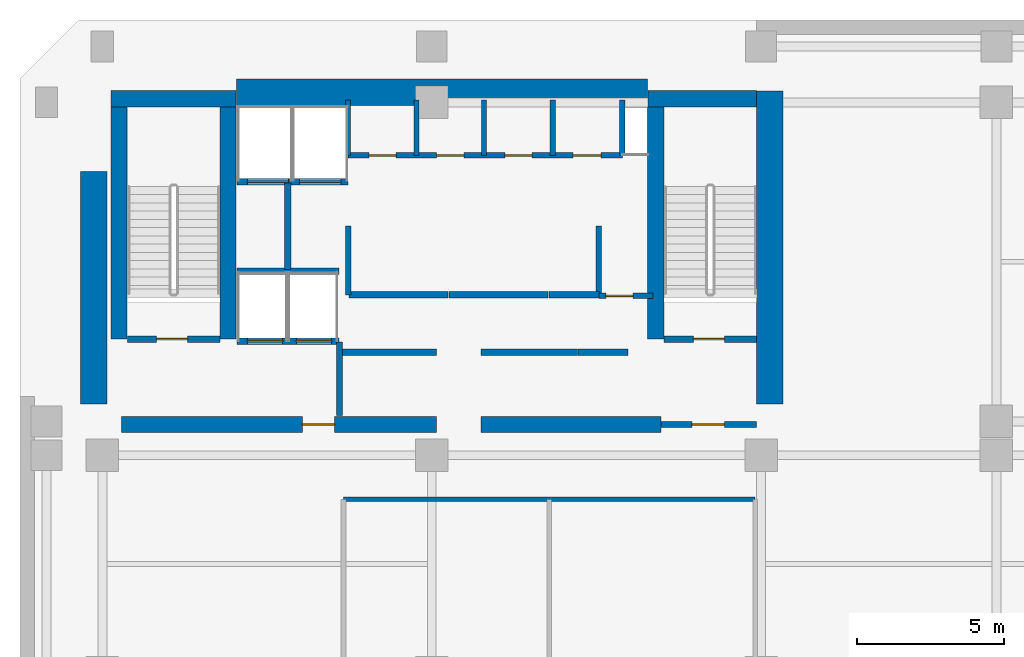
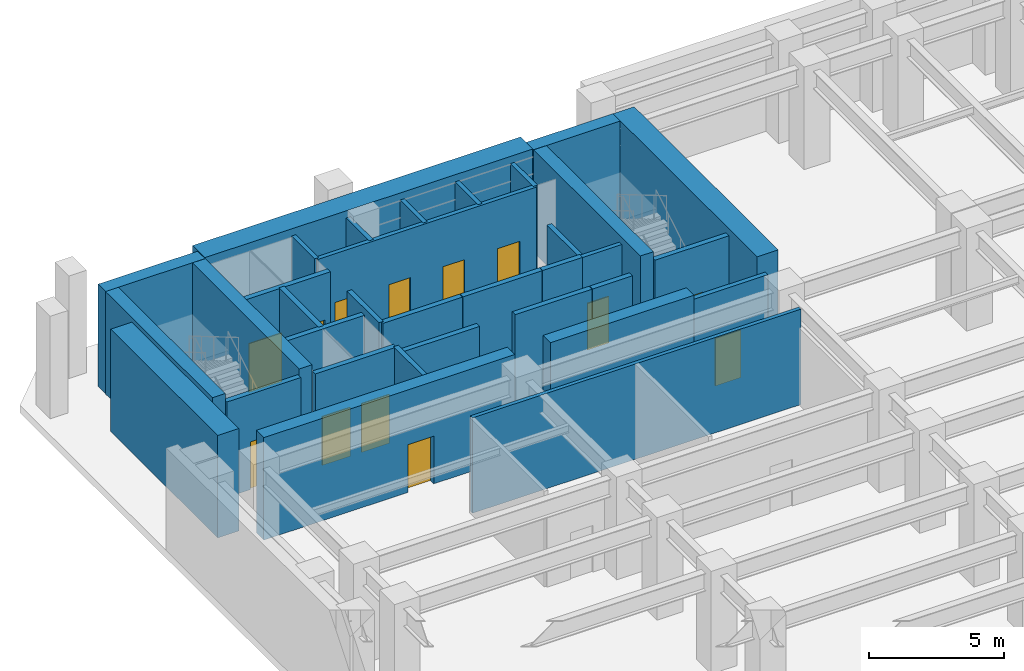
# One storey, part 7 of 12: 34 walls, 13 doors, 13 openings.
"""IFC4 building model written with IfcOpenShell, lengths in metres."""

from ifc_helpers import new_model, si_unit, direction, frame, frame_2d, origin, place, context, subcontext, project, spatial, rectangle, extrude, material, layer, layer_set, type_object, element, fill, save


model = new_model("IFC4")

# Units and contexts
model_context = context("Model", 3, precision=1e-05, world=origin(), true_north=direction((0.0, 1.0)))
body_context = subcontext(model_context, "Body", "Model", "MODEL_VIEW")
ifc_project = project(units=[si_unit("LENGTHUNIT", "METRE"), si_unit("AREAUNIT", "SQUARE_METRE"), si_unit("VOLUMEUNIT", "CUBIC_METRE"), si_unit("PLANEANGLEUNIT", "RADIAN"), si_unit("MASSUNIT", "GRAM", prefix="KILO")], contexts=[model_context])

# Site, building, storey
site_placement = place(None, origin())
site = spatial("IfcSite", under=ifc_project, at=site_placement, CompositionType="ELEMENT")
building_placement = place(site_placement, origin())
building = spatial("IfcBuilding", under=site, at=building_placement, Name="Kefirva Bronze Tower", CompositionType="ELEMENT")
storey_placement = place(building_placement, frame((0.0, 0.0, -4.6201171875)))
storey = spatial("IfcBuildingStorey", under=building, at=storey_placement, Name="B1", CompositionType="ELEMENT", Elevation=-4.6201171875)

# Wall, opening, door
ifc_material_1 = material(Name="Gypsum fireboard shaftwall")
ifc_layer_1 = layer(ifc_material_1, 0.219970703125, Name="Gypsum fireboard shaftwall")
ifc_layer_set_1 = layer_set([ifc_layer_1], Name="Gypsum fireboard shaftwall")
wall_type_1 = type_object("IfcWallType", Name="Fire-Rated Shaft Enclosure Wall 220mm", PredefinedType="PARTITIONING", material=ifc_layer_set_1)
wall_1_placement = place(storey_placement, frame((1.64990234375, 37.14990234375, 0.0), z_axis=(0.0, 0.0, 1.0), x_axis=(1.0, 0.0, 0.0)))
wall_1 = element("IfcWall", 1, at=wall_1_placement, inside=storey, type_object=wall_type_1, Name="B1 Partition W-B1-ST1S", PredefinedType="PARTITIONING", context=body_context, shape_type="SweptSolid", body=[
    extrude(rectangle(XDim=3.150146484375, YDim=0.219970703125, at=frame_2d((1.5751953125, 0.0))), origin(), (0.0, 0.0, 1.0), 4.300048828125),
])
opening_1_placement = place(wall_1_placement, frame((2.050048828125, 0.0, 0.0), z_axis=(0.0, 0.0, 1.0), x_axis=(-1.0, 0.0, 0.0)))
opening_1 = element("IfcOpeningElement", 2, at=opening_1_placement, cuts=wall_1, Name="Opening B1-D001", PredefinedType="OPENING", context=body_context, shape_type="SweptSolid", body=[
    extrude(rectangle(XDim=1.050048828125, YDim=2.14990234375, at=frame_2d((0.52490234375, 1.074951171875))), frame((0.0, 0.1201171875, 0.0), z_axis=(0.0, -1.0, 0.0), x_axis=(1.0, 0.0, 0.0)), (0.0, 0.0, 1.0), 0.239990234375),
])
ifc_material_2 = material(Name="Painted galvanized steel", Category="steel")
door_type_1 = type_object("IfcDoorType", Name="Fire Stair Enclosure Door 1050x2150 FD90S", OperationType="NOTDEFINED", PredefinedType="DOOR", material=ifc_material_2)
door_1_placement = place(opening_1_placement, origin())
door_1 = element("IfcDoor", 3, at=door_1_placement, inside=storey, type_object=door_type_1, Name="Door B1-D001", OperationType="SINGLE_SWING_LEFT", OverallHeight=2.14990234375, OverallWidth=1.050048828125, PredefinedType="DOOR", context=body_context, shape_type="SweptSolid", body=[
    extrude(rectangle(XDim=1.050048828125, YDim=2.14990234375, at=frame_2d((0.52490234375, 1.074951171875))), frame((0.0, 0.02490234375, 0.0), z_axis=(0.0, -1.0, 0.0), x_axis=(1.0, 0.0, 0.0)), (0.0, 0.0, 1.0), 0.050048828125),
])
fill(opening_1, door_1)

wall_2_placement = place(storey_placement, frame((19.89990234375, 37.14990234375, 0.0), z_axis=(0.0, 0.0, 1.0), x_axis=(1.0, 0.0, 0.0)))
wall_2 = element("IfcWall", 4, at=wall_2_placement, inside=storey, type_object=wall_type_1, Name="B1 Partition W-B1-ST2S", PredefinedType="PARTITIONING", context=body_context, shape_type="SweptSolid", body=[
    extrude(rectangle(XDim=3.150146484375, YDim=0.219970703125, at=frame_2d((1.5751953125, 0.0))), origin(), (0.0, 0.0, 1.0), 4.300048828125),
])
opening_2_placement = place(wall_2_placement, frame((2.050048828125, 0.0, 0.0), z_axis=(0.0, 0.0, 1.0), x_axis=(-1.0, 0.0, 0.0)))
opening_2 = element("IfcOpeningElement", 5, at=opening_2_placement, cuts=wall_2, Name="Opening B1-D003", PredefinedType="OPENING", context=body_context, shape_type="SweptSolid", body=[
    extrude(rectangle(XDim=1.050048828125, YDim=2.14990234375, at=frame_2d((0.52490234375, 1.074951171875))), frame((0.0, 0.1201171875, 0.0), z_axis=(0.0, -1.0, 0.0), x_axis=(1.0, 0.0, 0.0)), (0.0, 0.0, 1.0), 0.239990234375),
])
door_2_placement = place(opening_2_placement, origin())
door_2 = element("IfcDoor", 6, at=door_2_placement, inside=storey, type_object=door_type_1, Name="Door B1-D003", OperationType="SINGLE_SWING_LEFT", OverallHeight=2.14990234375, OverallWidth=1.050048828125, PredefinedType="DOOR", context=body_context, shape_type="SweptSolid", body=[
    extrude(rectangle(XDim=1.050048828125, YDim=2.14990234375, at=frame_2d((0.52490234375, 1.074951171875))), frame((0.0, 0.02490234375, 0.0), z_axis=(0.0, -1.0, 0.0), x_axis=(1.0, 0.0, 0.0)), (0.0, 0.0, 1.0), 0.050048828125),
])
fill(opening_2, door_2)

# Wall, openings, doors
wall_3_placement = place(storey_placement, frame((5.3798828125, 37.080078125, 0.0), z_axis=(0.0, 0.0, 1.0), x_axis=(1.0, 0.0, 0.0)))
wall_3 = element("IfcWall", 7, at=wall_3_placement, inside=storey, type_object=wall_type_1, Name="B1 Partition W-B1-FFS", PredefinedType="PARTITIONING", context=body_context, shape_type="SweptSolid", body=[
    extrude(rectangle(XDim=3.460205078125, YDim=0.219970703125, at=frame_2d((1.72998046875, 0.0))), origin(), (0.0, 0.0, 1.0), 4.300048828125),
])
opening_3_placement = place(wall_3_placement, frame((1.550048828125, 0.0, 0.0), z_axis=(0.0, 0.0, 1.0), x_axis=(-1.0, 0.0, 0.0)))
opening_3 = element("IfcOpeningElement", 8, at=opening_3_placement, cuts=wall_3, Name="Opening B1-LD-FF1", PredefinedType="OPENING", context=body_context, shape_type="SweptSolid", body=[
    extrude(rectangle(XDim=1.199951171875, YDim=2.199951171875, at=frame_2d((0.60009765625, 1.10009765625))), frame((0.0, 0.1201171875, 0.0), z_axis=(0.0, -1.0, 0.0), x_axis=(1.0, 0.0, 0.0)), (0.0, 0.0, 1.0), 0.239990234375),
])
opening_4_placement = place(wall_3_placement, frame((3.219970703125, 0.0, 0.0), z_axis=(0.0, 0.0, 1.0), x_axis=(-1.0, 0.0, 0.0)))
opening_4 = element("IfcOpeningElement", 9, at=opening_4_placement, cuts=wall_3, Name="Opening B1-LD-FF2", PredefinedType="OPENING", context=body_context, shape_type="SweptSolid", body=[
    extrude(rectangle(XDim=1.199951171875, YDim=2.199951171875, at=frame_2d((0.60009765625, 1.10009765625))), frame((0.0, 0.1201171875, 0.0), z_axis=(0.0, -1.0, 0.0), x_axis=(1.0, 0.0, 0.0)), (0.0, 0.0, 1.0), 0.239990234375),
])
ifc_material_3 = material(Name="Stainless steel 316", Category="steel")
door_type_2 = type_object("IfcDoorType", Name="Firefighting Lift Sliding Door 1200x2200", OperationType="SLIDING_TO_RIGHT", PredefinedType="DOOR", material=ifc_material_3)
door_3_placement = place(opening_3_placement, origin())
door_3 = element("IfcDoor", 10, at=door_3_placement, inside=storey, type_object=door_type_2, Name="Door B1-LD-FF1", OperationType="SLIDING_TO_RIGHT", OverallHeight=2.199951171875, OverallWidth=1.199951171875, PredefinedType="DOOR", context=body_context, shape_type="SweptSolid", body=[
    extrude(rectangle(XDim=1.199951171875, YDim=2.199951171875, at=frame_2d((0.60009765625, 1.10009765625))), frame((0.0, 0.02490234375, 0.0), z_axis=(0.0, -1.0, 0.0), x_axis=(1.0, 0.0, 0.0)), (0.0, 0.0, 1.0), 0.050048828125),
])
fill(opening_3, door_3)
door_4_placement = place(opening_4_placement, origin())
door_4 = element("IfcDoor", 11, at=door_4_placement, inside=storey, type_object=door_type_2, Name="Door B1-LD-FF2", OperationType="SLIDING_TO_RIGHT", OverallHeight=2.199951171875, OverallWidth=1.199951171875, PredefinedType="DOOR", context=body_context, shape_type="SweptSolid", body=[
    extrude(rectangle(XDim=1.199951171875, YDim=2.199951171875, at=frame_2d((0.60009765625, 1.10009765625))), frame((0.0, 0.02490234375, 0.0), z_axis=(0.0, -1.0, 0.0), x_axis=(1.0, 0.0, 0.0)), (0.0, 0.0, 1.0), 0.050048828125),
])
fill(opening_4, door_4)

# Wall
wall_4_placement = place(storey_placement, frame((5.3798828125, 39.449951171875, 0.0), z_axis=(0.0, 0.0, 1.0), x_axis=(1.0, 0.0, 0.0)))
element("IfcWall", 12, at=wall_4_placement, inside=storey, type_object=wall_type_1, Name="B1 Partition W-B1-FFN", PredefinedType="PARTITIONING", context=body_context, shape_type="SweptSolid", body=[
    extrude(rectangle(XDim=3.460205078125, YDim=0.219970703125, at=frame_2d((1.72998046875, 0.0))), origin(), (0.0, 0.0, 1.0), 4.300048828125),
])

# Wall, openings, doors
wall_5_placement = place(storey_placement, frame((5.3798828125, 42.5, 0.0), z_axis=(0.0, 0.0, 1.0), x_axis=(1.0, 0.0, 0.0)))
wall_5 = element("IfcWall", 13, at=wall_5_placement, inside=storey, type_object=wall_type_1, Name="B1 Partition W-B1-SVS", PredefinedType="PARTITIONING", context=body_context, shape_type="SweptSolid", body=[
    extrude(rectangle(XDim=3.77001953125, YDim=0.219970703125, at=frame_2d((1.885009765625, 0.0))), origin(), (0.0, 0.0, 1.0), 4.300048828125),
])
opening_5_placement = place(wall_5_placement, frame((1.75, 0.0, 0.0), z_axis=(0.0, 0.0, 1.0), x_axis=(-1.0, 0.0, 0.0)))
opening_5 = element("IfcOpeningElement", 14, at=opening_5_placement, cuts=wall_5, Name="Opening B1-LD-SV1", PredefinedType="OPENING", context=body_context, shape_type="SweptSolid", body=[
    extrude(rectangle(XDim=1.39990234375, YDim=2.199951171875, at=frame_2d((0.699951171875, 1.10009765625))), frame((0.0, 0.1201171875, 0.0), z_axis=(0.0, -1.0, 0.0), x_axis=(1.0, 0.0, 0.0)), (0.0, 0.0, 1.0), 0.239990234375),
])
opening_6_placement = place(wall_5_placement, frame((3.52978515625, 0.0, 0.0), z_axis=(0.0, 0.0, 1.0), x_axis=(-1.0, 0.0, 0.0)))
opening_6 = element("IfcOpeningElement", 15, at=opening_6_placement, cuts=wall_5, Name="Opening B1-LD-SV2", PredefinedType="OPENING", context=body_context, shape_type="SweptSolid", body=[
    extrude(rectangle(XDim=1.39990234375, YDim=2.199951171875, at=frame_2d((0.699951171875, 1.10009765625))), frame((0.0, 0.1201171875, 0.0), z_axis=(0.0, -1.0, 0.0), x_axis=(1.0, 0.0, 0.0)), (0.0, 0.0, 1.0), 0.239990234375),
])
door_type_3 = type_object("IfcDoorType", Name="Goods Lift Bi-Parting Sliding Door 1400x2200", OperationType="SLIDING_TO_LEFT", PredefinedType="DOOR", material=ifc_material_3)
door_5_placement = place(opening_5_placement, origin())
door_5 = element("IfcDoor", 16, at=door_5_placement, inside=storey, type_object=door_type_3, Name="Door B1-LD-SV1", OperationType="SLIDING_TO_LEFT", OverallHeight=2.199951171875, OverallWidth=1.39990234375, PredefinedType="DOOR", context=body_context, shape_type="SweptSolid", body=[
    extrude(rectangle(XDim=1.39990234375, YDim=2.199951171875, at=frame_2d((0.699951171875, 1.10009765625))), frame((0.0, 0.02490234375, 0.0), z_axis=(0.0, -1.0, 0.0), x_axis=(1.0, 0.0, 0.0)), (0.0, 0.0, 1.0), 0.050048828125),
])
fill(opening_5, door_5)
door_6_placement = place(opening_6_placement, origin())
door_6 = element("IfcDoor", 17, at=door_6_placement, inside=storey, type_object=door_type_3, Name="Door B1-LD-SV2", OperationType="SLIDING_TO_LEFT", OverallHeight=2.199951171875, OverallWidth=1.39990234375, PredefinedType="DOOR", context=body_context, shape_type="SweptSolid", body=[
    extrude(rectangle(XDim=1.39990234375, YDim=2.199951171875, at=frame_2d((0.699951171875, 1.10009765625))), frame((0.0, 0.02490234375, 0.0), z_axis=(0.0, -1.0, 0.0), x_axis=(1.0, 0.0, 0.0)), (0.0, 0.0, 1.0), 0.050048828125),
])
fill(opening_6, door_6)

# Walls
wall_6_placement = place(storey_placement, frame((7.10009765625, 39.52001953125, 0.0), z_axis=(0.0, 0.0, 1.0), x_axis=(0.0, 1.0, 0.0)))
element("IfcWall", 18, at=wall_6_placement, inside=storey, type_object=wall_type_1, Name="B1 Partition W-B1-HP3E", PredefinedType="PARTITIONING", context=body_context, shape_type="SweptSolid", body=[
    extrude(rectangle(XDim=2.929931640625, YDim=0.219970703125, at=frame_2d((1.46484375, 0.0))), origin(), (0.0, 0.0, 1.0), 4.300048828125),
])
for number, where, z_axis, x_axis, name in (
    (19, (9.159912109375, 38.64990234375, 0.0), (0.0, 0.0, 1.0), (0.0, 1.0, 0.0), "B1 Partition W-B1-LP3W"),
    (20, (17.679931640625, 38.64990234375, 0.0), (0.0, 0.0, 1.0), (0.0, 1.0, 0.0), "B1 Partition W-B1-HP2E"),
):
    element("IfcWall", number, at=place(storey_placement, frame(where, z_axis=z_axis, x_axis=x_axis)), inside=storey, type_object=wall_type_1, Name=name, PredefinedType="PARTITIONING", context=body_context, shape_type="SweptSolid", body=[
        extrude(rectangle(XDim=2.35009765625, YDim=0.199951171875, at=frame_2d((1.175048828125, 0.0))), origin(), (0.0, 0.0, 1.0), 4.300048828125),
    ])
wall_7_placement = place(storey_placement, frame((8.89990234375, 36.699951171875, 0.0), z_axis=(0.0, 0.0, 1.0), x_axis=(1.0, 0.0, 0.0)))
element("IfcWall", 21, at=wall_7_placement, inside=storey, type_object=wall_type_1, Name="B1 Partition W-B1-LPS", PredefinedType="PARTITIONING", context=body_context, shape_type="SweptSolid", body=[
    extrude(rectangle(XDim=3.260009765625, YDim=0.219970703125, at=frame_2d((1.6298828125, 0.0))), origin(), (0.0, 0.0, 1.0), 4.300048828125),
])
wall_8_placement = place(storey_placement, frame((9.179931640625, 38.64990234375, 0.0), z_axis=(0.0, 0.0, 1.0), x_axis=(1.0, 0.0, 0.0)))
element("IfcWall", 22, at=wall_8_placement, inside=storey, type_object=wall_type_1, Name="B1 Partition W-B1-LPN", PredefinedType="PARTITIONING", context=body_context, shape_type="SweptSolid", body=[
    extrude(rectangle(XDim=3.380126953125, YDim=0.219970703125, at=frame_2d((1.68994140625, 0.0))), origin(), (0.0, 0.0, 1.0), 4.300048828125),
])
wall_9_placement = place(storey_placement, frame((13.679931640625, 36.699951171875, 0.0), z_axis=(0.0, 0.0, 1.0), x_axis=(1.0, 0.0, 0.0)))
element("IfcWall", 23, at=wall_9_placement, inside=storey, type_object=wall_type_1, Name="B1 Partition W-B1-MPS", PredefinedType="PARTITIONING", context=body_context, shape_type="SweptSolid", body=[
    extrude(rectangle(XDim=3.280029296875, YDim=0.219970703125, at=frame_2d((1.64013671875, 0.0))), origin(), (0.0, 0.0, 1.0), 4.300048828125),
])
wall_10_placement = place(storey_placement, frame((12.580078125, 38.64990234375, 0.0), z_axis=(0.0, 0.0, 1.0), x_axis=(1.0, 0.0, 0.0)))
element("IfcWall", 24, at=wall_10_placement, inside=storey, type_object=wall_type_1, Name="B1 Partition W-B1-MPN", PredefinedType="PARTITIONING", context=body_context, shape_type="SweptSolid", body=[
    extrude(rectangle(XDim=3.3798828125, YDim=0.219970703125, at=frame_2d((1.68994140625, 0.0))), origin(), (0.0, 0.0, 1.0), 4.300048828125),
])
wall_11_placement = place(storey_placement, frame((16.97998046875, 36.699951171875, 0.0), z_axis=(0.0, 0.0, 1.0), x_axis=(1.0, 0.0, 0.0)))
element("IfcWall", 25, at=wall_11_placement, inside=storey, type_object=wall_type_1, Name="B1 Partition W-B1-HPS", PredefinedType="PARTITIONING", context=body_context, shape_type="SweptSolid", body=[
    extrude(rectangle(XDim=1.699951171875, YDim=0.219970703125, at=frame_2d((0.85009765625, 0.0))), origin(), (0.0, 0.0, 1.0), 4.300048828125),
])
wall_12_placement = place(storey_placement, frame((15.97998046875, 38.64990234375, 0.0), z_axis=(0.0, 0.0, 1.0), x_axis=(1.0, 0.0, 0.0)))
element("IfcWall", 26, at=wall_12_placement, inside=storey, type_object=wall_type_1, Name="B1 Partition W-B1-HPN", PredefinedType="PARTITIONING", context=body_context, shape_type="SweptSolid", body=[
    extrude(rectangle(XDim=1.719970703125, YDim=0.219970703125, at=frame_2d((0.85986328125, 0.0))), origin(), (0.0, 0.0, 1.0), 4.300048828125),
])
ifc_material_4 = material(Name="Gypsum fireboard barrier")
ifc_layer_2 = layer(ifc_material_4, 0.199951171875, Name="Gypsum fireboard barrier")
ifc_layer_set_2 = layer_set([ifc_layer_2], Name="Gypsum fireboard barrier")
wall_type_2 = type_object("IfcWallType", Name="Firefighting Lobby Barrier Wall 200mm", PredefinedType="PARTITIONING", material=ifc_layer_set_2)
wall_13_placement = place(storey_placement, frame((8.860107421875, 34.550048828125, 0.0), z_axis=(0.0, 0.0, 1.0), x_axis=(0.0, 1.0, 0.0)))
element("IfcWall", 27, at=wall_13_placement, inside=storey, type_object=wall_type_2, Name="B1 Partition W-B1-FFLE", PredefinedType="PARTITIONING", context=body_context, shape_type="SweptSolid", body=[
    extrude(rectangle(XDim=2.5, YDim=0.199951171875, at=frame_2d((1.25, 0.0))), origin(), (0.0, 0.0, 1.0), 4.300048828125),
])

# Wall, opening, door
wall_14_placement = place(storey_placement, frame((19.800048828125, 34.25, 0.0), z_axis=(0.0, 0.0, 1.0), x_axis=(1.0, 0.0, 0.0)))
wall_14 = element("IfcWall", 28, at=wall_14_placement, inside=storey, type_object=wall_type_2, Name="B1 Partition W-B1-ST2F", PredefinedType="PARTITIONING", context=body_context, shape_type="SweptSolid", body=[
    extrude(rectangle(XDim=3.25, YDim=0.199951171875, at=frame_2d((1.625, 0.0))), origin(), (0.0, 0.0, 1.0), 4.300048828125),
])
opening_7_placement = place(wall_14_placement, frame((2.150146484375, 0.0, 0.0), z_axis=(0.0, 0.0, 1.0), x_axis=(-1.0, 0.0, 0.0)))
opening_7 = element("IfcOpeningElement", 29, at=opening_7_placement, cuts=wall_14, Name="Opening B1-D004", PredefinedType="OPENING", context=body_context, shape_type="SweptSolid", body=[
    extrude(rectangle(XDim=1.10009765625, YDim=2.14990234375, at=frame_2d((0.550048828125, 1.074951171875))), frame((0.0, 0.10986328125, 0.0), z_axis=(0.0, -1.0, 0.0), x_axis=(1.0, 0.0, 0.0)), (0.0, 0.0, 1.0), 0.219970703125),
])
door_type_4 = type_object("IfcDoorType", Name="Firefighting Lobby Smoke Door 1100x2150 FD60S", OperationType="NOTDEFINED", PredefinedType="DOOR", material=ifc_material_2)
door_7_placement = place(opening_7_placement, origin())
door_7 = element("IfcDoor", 30, at=door_7_placement, inside=storey, type_object=door_type_4, Name="Door B1-D004", OperationType="SINGLE_SWING_RIGHT", OverallHeight=2.14990234375, OverallWidth=1.10009765625, PredefinedType="DOOR", context=body_context, shape_type="SweptSolid", body=[
    extrude(rectangle(XDim=1.10009765625, YDim=2.14990234375, at=frame_2d((0.550048828125, 1.074951171875))), frame((0.0, 0.02490234375, 0.0), z_axis=(0.0, -1.0, 0.0), x_axis=(1.0, 0.0, 0.0)), (0.0, 0.0, 1.0), 0.050048828125),
])
fill(opening_7, door_7)

wall_15_placement = place(storey_placement, frame((17.679931640625, 38.6201171875, 0.0), z_axis=(0.0, 0.0, 1.0), x_axis=(1.0, 0.0, 0.0)))
wall_15 = element("IfcWall", 31, at=wall_15_placement, inside=storey, type_object=wall_type_2, Name="B1 Partition W-B1-CPASS", PredefinedType="PARTITIONING", context=body_context, shape_type="SweptSolid", body=[
    extrude(rectangle(XDim=1.840087890625, YDim=0.179931640625, at=frame_2d((0.919921875, 0.0))), origin(), (0.0, 0.0, 1.0), 4.300048828125),
])
opening_8_placement = place(wall_15_placement, frame((0.239990234375, 0.0, 0.0)))
opening_8 = element("IfcOpeningElement", 32, at=opening_8_placement, cuts=wall_15, Name="Opening B1-D-CPAS", PredefinedType="OPENING", context=body_context, shape_type="SweptSolid", body=[
    extrude(rectangle(XDim=0.919921875, YDim=2.10009765625, at=frame_2d((0.4599609375, 1.050048828125))), frame((0.0, 0.10009765625, 0.0), z_axis=(0.0, -1.0, 0.0), x_axis=(1.0, 0.0, 0.0)), (0.0, 0.0, 1.0), 0.199951171875),
])
ifc_material_5 = material(Name="Moisture-resistant timber", Category="wood")
door_type_5 = type_object("IfcDoorType", Name="Accessible Sanitary & WC Door 920x2100", OperationType="NOTDEFINED", PredefinedType="DOOR", material=ifc_material_5)
door_8_placement = place(opening_8_placement, origin())
door_8 = element("IfcDoor", 33, at=door_8_placement, inside=storey, type_object=door_type_5, Name="Door B1-D-CPAS", OperationType="SINGLE_SWING_LEFT", OverallHeight=2.10009765625, OverallWidth=0.919921875, PredefinedType="DOOR", context=body_context, shape_type="SweptSolid", body=[
    extrude(rectangle(XDim=0.919921875, YDim=2.10009765625, at=frame_2d((0.4599609375, 1.050048828125))), frame((0.0, 0.02490234375, 0.0), z_axis=(0.0, -1.0, 0.0), x_axis=(1.0, 0.0, 0.0)), (0.0, 0.0, 1.0), 0.050048828125),
])
fill(opening_8, door_8)

# Walls
ifc_material_6 = material(Name="Gypsum acoustic partition")
ifc_layer_3 = layer(ifc_material_6, 0.159912109375, Name="Gypsum acoustic partition")
ifc_layer_set_3 = layer_set([ifc_layer_3], Name="Gypsum acoustic partition")
wall_type_3 = type_object("IfcWallType", Name="Protected Corridor Partition 160mm", PredefinedType="PARTITIONING", material=ifc_layer_set_3)
wall_16_placement = place(storey_placement, frame((9.0, 31.699951171875, 0.0), z_axis=(0.0, 0.0, 1.0), x_axis=(1.0, 0.0, 0.0)))
element("IfcWall", 34, at=wall_16_placement, inside=storey, type_object=wall_type_3, Name="B1 Partition W-B1-PLTN", PredefinedType="PARTITIONING", context=body_context, shape_type="SweptSolid", body=[
    extrude(rectangle(XDim=14.0, YDim=0.159912109375, at=frame_2d((7.0, 0.0))), origin(), (0.0, 0.0, 1.0), 4.300048828125),
])
ifc_material_7 = material(Name="Concrete C50/60", Category="concrete")
ifc_layer_4 = layer(ifc_material_7, 0.550048828125, Name="Concrete C50/60")
ifc_layer_set_4 = layer_set([ifc_layer_4], Name="Concrete C50/60")
wall_type_4 = type_object("IfcWallType", Name="RC Rear Core Interior Wall 550mm", PredefinedType="SHEAR", material=ifc_layer_set_4)
for number, where, z_axis, x_axis, name in (
    (35, (1.3701171875, 37.14990234375, 0.0), (0.0, 0.0, 1.0), (0.0, 1.0, 0.0), "B1 Stair 1 West Shear Wall"),
    (36, (5.070068359375, 37.14990234375, 0.0), (0.0, 0.0, 1.0), (0.0, 1.0, 0.0), "B1 Stair 1 East Shear Wall"),
):
    element("IfcWall", number, at=place(storey_placement, frame(where, z_axis=z_axis, x_axis=x_axis)), inside=storey, type_object=wall_type_4, Name=name, PredefinedType="SHEAR", context=body_context, shape_type="SweptSolid", body=[
        extrude(rectangle(XDim=7.89013671875, YDim=0.550048828125, at=frame_2d((3.945068359375, 0.0))), origin(), (0.0, 0.0, 1.0), 4.6201171875),
    ])
wall_17_placement = place(storey_placement, frame((1.10009765625, 45.320068359375, 0.0), z_axis=(0.0, 0.0, 1.0), x_axis=(1.0, 0.0, 0.0)))
element("IfcWall", 37, at=wall_17_placement, inside=storey, type_object=wall_type_4, Name="B1 Stair 1 North Shear Wall", PredefinedType="SHEAR", context=body_context, shape_type="SweptSolid", body=[
    extrude(rectangle(XDim=4.239990234375, YDim=0.550048828125, at=frame_2d((2.1201171875, 0.0))), origin(), (0.0, 0.0, 1.0), 4.6201171875),
])
wall_18_placement = place(storey_placement, frame((19.6201171875, 37.14990234375, 0.0), z_axis=(0.0, 0.0, 1.0), x_axis=(0.0, 1.0, 0.0)))
element("IfcWall", 38, at=wall_18_placement, inside=storey, type_object=wall_type_4, Name="B1 Stair 2 West Shear Wall", PredefinedType="SHEAR", context=body_context, shape_type="SweptSolid", body=[
    extrude(rectangle(XDim=7.89013671875, YDim=0.550048828125, at=frame_2d((3.945068359375, 0.0))), origin(), (0.0, 0.0, 1.0), 4.6201171875),
])
wall_19_placement = place(storey_placement, frame((19.35009765625, 45.320068359375, 0.0), z_axis=(0.0, 0.0, 1.0), x_axis=(1.0, 0.0, 0.0)))
element("IfcWall", 39, at=wall_19_placement, inside=storey, type_object=wall_type_4, Name="B1 Stair 2 North Shear Wall", PredefinedType="SHEAR", context=body_context, shape_type="SweptSolid", body=[
    extrude(rectangle(XDim=3.68994140625, YDim=0.550048828125, at=frame_2d((1.844970703125, 0.0))), origin(), (0.0, 0.0, 1.0), 4.6201171875),
])
ifc_material_8 = material(Name="Concrete C60/75", Category="concrete")
ifc_layer_5 = layer(ifc_material_8, 0.89990234375, Name="Concrete C60/75")
ifc_layer_set_5 = layer_set([ifc_layer_5], Name="Concrete C60/75")
wall_type_5 = type_object("IfcWallType", Name="RC Rear Core Interior Wall 900mm", PredefinedType="SHEAR", material=ifc_layer_set_5)
wall_20_placement = place(storey_placement, frame((5.360107421875, 45.550048828125, 0.0), z_axis=(0.0, 0.0, 1.0), x_axis=(1.0, 0.0, 0.0)))
element("IfcWall", 40, at=wall_20_placement, inside=storey, type_object=wall_type_5, Name="B1 Rear Core North Shear Wall", PredefinedType="SHEAR", context=body_context, shape_type="SweptSolid", body=[
    extrude(rectangle(XDim=13.97998046875, YDim=0.89990234375, at=frame_2d((6.989990234375, 0.0))), origin(), (0.0, 0.0, 1.0), 4.6201171875),
])
wall_21_placement = place(storey_placement, frame((0.5, 34.949951171875, 0.0), z_axis=(0.0, 0.0, 1.0), x_axis=(0.0, 1.0, 0.0)))
element("IfcWall", 41, at=wall_21_placement, inside=storey, type_object=wall_type_5, Name="B1 Rear Core West Shear Wall", PredefinedType="SHEAR", context=body_context, shape_type="SweptSolid", body=[
    extrude(rectangle(XDim=7.900146484375, YDim=0.89990234375, at=frame_2d((3.9501953125, 0.0))), origin(), (0.0, 0.0, 1.0), 4.6201171875),
])
wall_22_placement = place(storey_placement, frame((23.5, 34.949951171875, 0.0), z_axis=(0.0, 0.0, 1.0), x_axis=(0.0, 1.0, 0.0)))
element("IfcWall", 42, at=wall_22_placement, inside=storey, type_object=wall_type_5, Name="B1 Rear Core East Shear Wall", PredefinedType="SHEAR", context=body_context, shape_type="SweptSolid", body=[
    extrude(rectangle(XDim=10.64013671875, YDim=0.89990234375, at=frame_2d((5.320068359375, 0.0))), origin(), (0.0, 0.0, 1.0), 4.6201171875),
])

# Wall, opening, door
wall_23_placement = place(storey_placement, frame((1.449951171875, 34.25, 0.0), z_axis=(0.0, 0.0, 1.0), x_axis=(1.0, 0.0, 0.0)))
wall_23 = element("IfcWall", 43, at=wall_23_placement, inside=storey, type_object=wall_type_5, Name="B1 Rear Core South-West Shear Wall", PredefinedType="SHEAR", context=body_context, shape_type="SweptSolid", body=[
    extrude(rectangle(XDim=10.7099609375, YDim=0.550048828125, at=frame_2d((5.35498046875, 0.0))), origin(), (0.0, 0.0, 1.0), 4.6201171875),
])
opening_9_placement = place(wall_23_placement, frame((7.25, 0.0, 0.0), z_axis=(0.0, 0.0, 1.0), x_axis=(-1.0, 0.0, 0.0)))
opening_9 = element("IfcOpeningElement", 44, at=opening_9_placement, cuts=wall_23, Name="Opening B1-D002", PredefinedType="OPENING", context=body_context, shape_type="SweptSolid", body=[
    extrude(rectangle(XDim=1.10009765625, YDim=2.14990234375, at=frame_2d((0.550048828125, 1.074951171875))), frame((0.0, 0.28515625, 0.0), z_axis=(0.0, -1.0, 0.0), x_axis=(1.0, 0.0, 0.0)), (0.0, 0.0, 1.0), 0.570068359375),
])
door_9_placement = place(opening_9_placement, origin())
door_9 = element("IfcDoor", 45, at=door_9_placement, inside=storey, type_object=door_type_4, Name="Door B1-D002", OperationType="SINGLE_SWING_RIGHT", OverallHeight=2.14990234375, OverallWidth=1.10009765625, PredefinedType="DOOR", context=body_context, shape_type="SweptSolid", body=[
    extrude(rectangle(XDim=1.10009765625, YDim=2.14990234375, at=frame_2d((0.550048828125, 1.074951171875))), frame((0.0, 0.02490234375, 0.0), z_axis=(0.0, -1.0, 0.0), x_axis=(1.0, 0.0, 0.0)), (0.0, 0.0, 1.0), 0.050048828125),
])
fill(opening_9, door_9)

# Wall
wall_24_placement = place(storey_placement, frame((13.679931640625, 34.25, 0.0), z_axis=(0.0, 0.0, 1.0), x_axis=(1.0, 0.0, 0.0)))
element("IfcWall", 46, at=wall_24_placement, inside=storey, type_object=wall_type_5, Name="B1 Rear Core South-East Shear Wall", PredefinedType="SHEAR", context=body_context, shape_type="SweptSolid", body=[
    extrude(rectangle(XDim=6.1201171875, YDim=0.550048828125, at=frame_2d((3.06005859375, 0.0))), origin(), (0.0, 0.0, 1.0), 4.6201171875),
])

# Wall, openings, doors
ifc_material_9 = material(Name="Moisture-resistant partition")
ifc_layer_6 = layer(ifc_material_9, 0.179931640625, Name="Moisture-resistant partition")
ifc_layer_set_6 = layer_set([ifc_layer_6], Name="Moisture-resistant partition")
wall_type_6 = type_object("IfcWallType", Name="Sanitary Plumbing Chase Wall 180mm", PredefinedType="PLUMBINGWALL", material=ifc_layer_set_6)
wall_25_placement = place(storey_placement, frame((9.14990234375, 43.39990234375, 0.0), z_axis=(0.0, 0.0, 1.0), x_axis=(1.0, 0.0, 0.0)))
wall_25 = element("IfcWall", 47, at=wall_25_placement, inside=storey, type_object=wall_type_6, Name="B1 Partition W-B1-SVCS", PredefinedType="PLUMBINGWALL", context=body_context, shape_type="SweptSolid", body=[
    extrude(rectangle(XDim=9.330078125, YDim=0.179931640625, at=frame_2d((4.6650390625, 0.0))), origin(), (0.0, 0.0, 1.0), 4.300048828125),
])
opening_10_placement = place(wall_25_placement, frame((0.719970703125, 0.0, 0.0)))
opening_10 = element("IfcOpeningElement", 48, at=opening_10_placement, cuts=wall_25, Name="Opening B1-D-CSVC1", PredefinedType="OPENING", context=body_context, shape_type="SweptSolid", body=[
    extrude(rectangle(XDim=0.919921875, YDim=2.10009765625, at=frame_2d((0.4599609375, 1.050048828125))), frame((0.0, 0.10009765625, 0.0), z_axis=(0.0, -1.0, 0.0), x_axis=(1.0, 0.0, 0.0)), (0.0, 0.0, 1.0), 0.199951171875),
])
opening_11_placement = place(wall_25_placement, frame((3.02001953125, 0.0, 0.0)))
opening_11 = element("IfcOpeningElement", 49, at=opening_11_placement, cuts=wall_25, Name="Opening B1-D-CSVC2", PredefinedType="OPENING", context=body_context, shape_type="SweptSolid", body=[
    extrude(rectangle(XDim=0.919921875, YDim=2.10009765625, at=frame_2d((0.4599609375, 1.050048828125))), frame((0.0, 0.10009765625, 0.0), z_axis=(0.0, -1.0, 0.0), x_axis=(1.0, 0.0, 0.0)), (0.0, 0.0, 1.0), 0.199951171875),
])
opening_12_placement = place(wall_25_placement, frame((5.340087890625, 0.0, 0.0)))
opening_12 = element("IfcOpeningElement", 50, at=opening_12_placement, cuts=wall_25, Name="Opening B1-D-CSVC3", PredefinedType="OPENING", context=body_context, shape_type="SweptSolid", body=[
    extrude(rectangle(XDim=0.919921875, YDim=2.10009765625, at=frame_2d((0.4599609375, 1.050048828125))), frame((0.0, 0.10009765625, 0.0), z_axis=(0.0, -1.0, 0.0), x_axis=(1.0, 0.0, 0.0)), (0.0, 0.0, 1.0), 0.199951171875),
])
opening_13_placement = place(wall_25_placement, frame((7.659912109375, 0.0, 0.0)))
opening_13 = element("IfcOpeningElement", 51, at=opening_13_placement, cuts=wall_25, Name="Opening B1-D-CSVC4", PredefinedType="OPENING", context=body_context, shape_type="SweptSolid", body=[
    extrude(rectangle(XDim=0.949951171875, YDim=2.10009765625, at=frame_2d((0.47509765625, 1.050048828125))), frame((0.0, 0.10009765625, 0.0), z_axis=(0.0, -1.0, 0.0), x_axis=(1.0, 0.0, 0.0)), (0.0, 0.0, 1.0), 0.199951171875),
])
door_10_placement = place(opening_10_placement, origin())
door_10 = element("IfcDoor", 52, at=door_10_placement, inside=storey, type_object=door_type_5, Name="Door B1-D-CSVC1", OperationType="SINGLE_SWING_RIGHT", OverallHeight=2.10009765625, OverallWidth=0.919921875, PredefinedType="DOOR", context=body_context, shape_type="SweptSolid", body=[
    extrude(rectangle(XDim=0.919921875, YDim=2.10009765625, at=frame_2d((0.4599609375, 1.050048828125))), frame((0.0, 0.02490234375, 0.0), z_axis=(0.0, -1.0, 0.0), x_axis=(1.0, 0.0, 0.0)), (0.0, 0.0, 1.0), 0.050048828125),
])
fill(opening_10, door_10)
door_11_placement = place(opening_11_placement, origin())
door_11 = element("IfcDoor", 53, at=door_11_placement, inside=storey, type_object=door_type_5, Name="Door B1-D-CSVC2", OperationType="SINGLE_SWING_LEFT", OverallHeight=2.10009765625, OverallWidth=0.919921875, PredefinedType="DOOR", context=body_context, shape_type="SweptSolid", body=[
    extrude(rectangle(XDim=0.919921875, YDim=2.10009765625, at=frame_2d((0.4599609375, 1.050048828125))), frame((0.0, 0.02490234375, 0.0), z_axis=(0.0, -1.0, 0.0), x_axis=(1.0, 0.0, 0.0)), (0.0, 0.0, 1.0), 0.050048828125),
])
fill(opening_11, door_11)
door_12_placement = place(opening_12_placement, origin())
door_12 = element("IfcDoor", 54, at=door_12_placement, inside=storey, type_object=door_type_5, Name="Door B1-D-CSVC3", OperationType="SINGLE_SWING_RIGHT", OverallHeight=2.10009765625, OverallWidth=0.919921875, PredefinedType="DOOR", context=body_context, shape_type="SweptSolid", body=[
    extrude(rectangle(XDim=0.919921875, YDim=2.10009765625, at=frame_2d((0.4599609375, 1.050048828125))), frame((0.0, 0.02490234375, 0.0), z_axis=(0.0, -1.0, 0.0), x_axis=(1.0, 0.0, 0.0)), (0.0, 0.0, 1.0), 0.050048828125),
])
fill(opening_12, door_12)
door_type_6 = type_object("IfcDoorType", Name="Riser & Plant Shaft Fire Door 950x2100 FD60S", OperationType="NOTDEFINED", PredefinedType="DOOR", material=ifc_material_2)
door_13_placement = place(opening_13_placement, origin())
door_13 = element("IfcDoor", 55, at=door_13_placement, inside=storey, type_object=door_type_6, Name="Door B1-D-CSVC4", OperationType="SINGLE_SWING_LEFT", OverallHeight=2.10009765625, OverallWidth=0.949951171875, PredefinedType="DOOR", context=body_context, shape_type="SweptSolid", body=[
    extrude(rectangle(XDim=0.949951171875, YDim=2.10009765625, at=frame_2d((0.47509765625, 1.050048828125))), frame((0.0, 0.02490234375, 0.0), z_axis=(0.0, -1.0, 0.0), x_axis=(1.0, 0.0, 0.0)), (0.0, 0.0, 1.0), 0.050048828125),
])
fill(opening_13, door_13)

# Walls
for number, where, z_axis, x_axis, name in (
    (56, (9.14990234375, 43.39990234375, 0.0), (0.0, 0.0, 1.0), (0.0, 1.0, 0.0), "B1 Partition W-B1-SVCW"),
    (57, (18.47998046875, 43.39990234375, 0.0), (0.0, 0.0, 1.0), (0.0, 1.0, 0.0), "B1 Partition W-B1-SVCE"),
    (58, (11.47998046875, 43.39990234375, 0.0), (0.0, 0.0, 1.0), (0.0, 1.0, 0.0), "B1 Partition W-B1-CSVD-1"),
    (59, (13.780029296875, 43.39990234375, 0.0), (0.0, 0.0, 1.0), (0.0, 1.0, 0.0), "B1 Partition W-B1-CSVD-2"),
    (60, (16.1201171875, 43.39990234375, 0.0), (0.0, 0.0, 1.0), (0.0, 1.0, 0.0), "B1 Partition W-B1-CSVD-3"),
):
    element("IfcWall", number, at=place(storey_placement, frame(where, z_axis=z_axis, x_axis=x_axis)), inside=storey, type_object=wall_type_6, Name=name, PredefinedType="PLUMBINGWALL", context=body_context, shape_type="SweptSolid", body=[
        extrude(rectangle(XDim=1.880126953125, YDim=0.179931640625, at=frame_2d((0.93994140625, 0.0))), origin(), (0.0, 0.0, 1.0), 4.300048828125),
    ])

save(model, "model.ifc")
